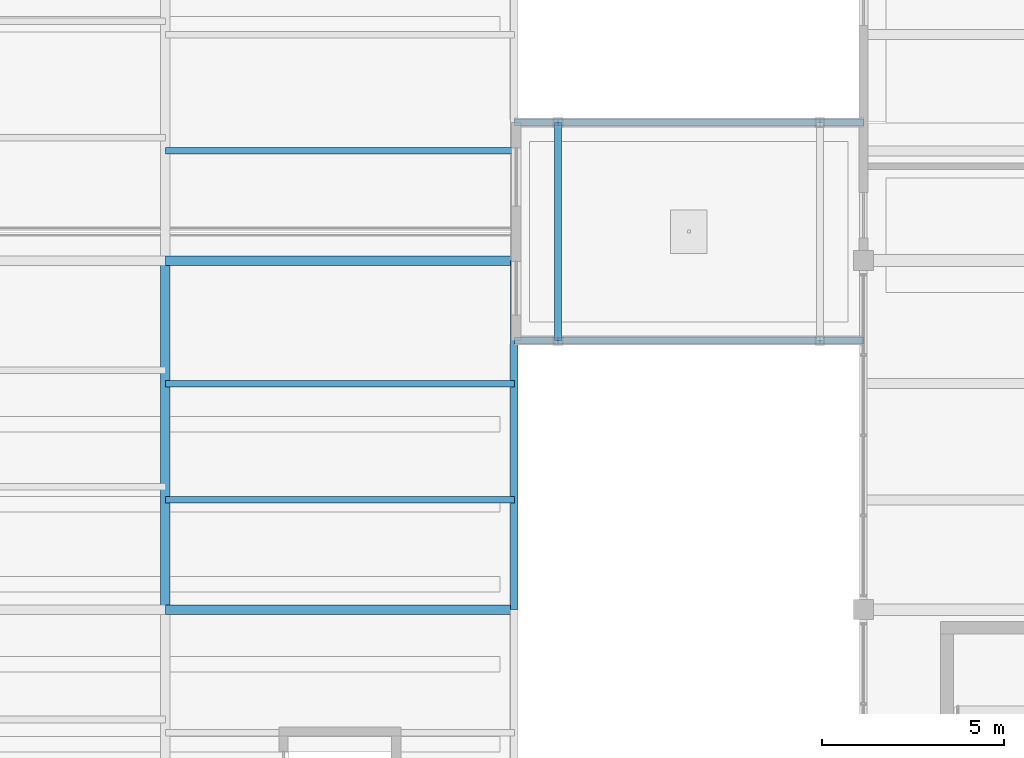
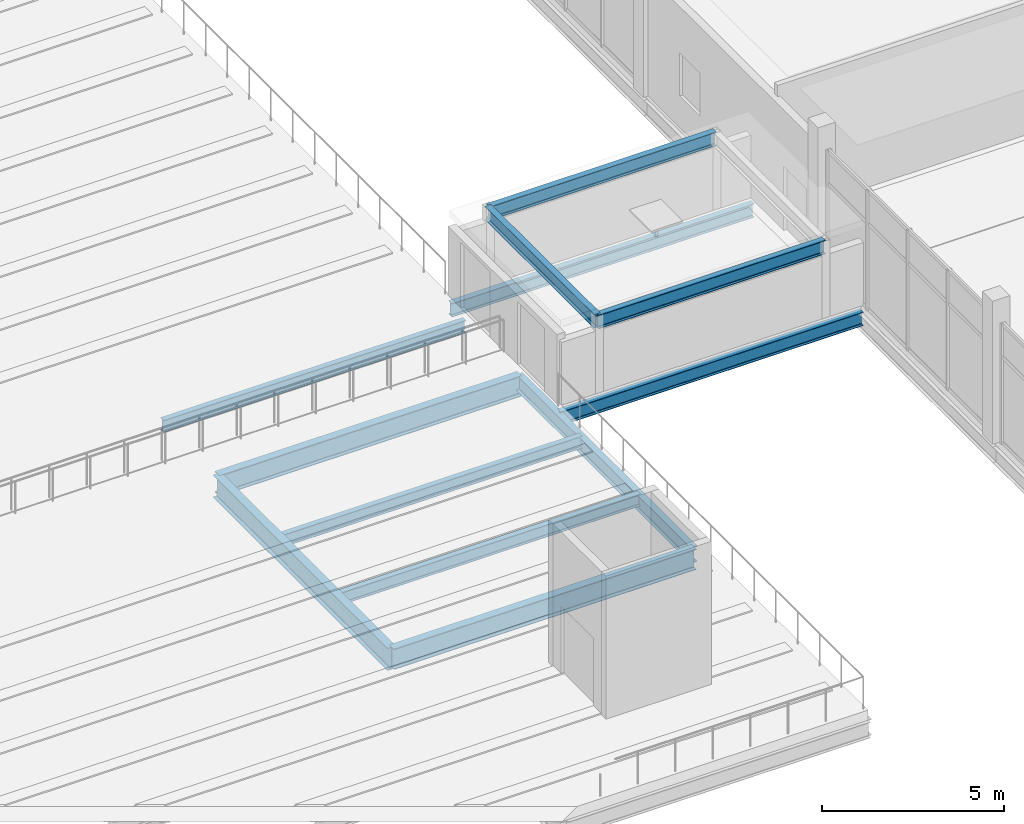
# One storey, part 70 of 157: 12 beams.
"""IFC4 building model written with IfcOpenShell, lengths in metres."""

from ifc_helpers import new_model, si_unit, direction, frame, origin, origin_2d, place, context, subcontext, project, spatial, i_section, extrude, material, material_profile, profile_set, type_object, element, save


model = new_model("IFC4")

# Units and contexts
model_context = context("Model", 3, precision=1e-05, world=origin(), true_north=direction((0.0, 1.0)))
body_context = subcontext(model_context, "Body", "Model", "MODEL_VIEW")
ifc_project = project(units=[si_unit("LENGTHUNIT", "METRE"), si_unit("AREAUNIT", "SQUARE_METRE"), si_unit("VOLUMEUNIT", "CUBIC_METRE"), si_unit("PLANEANGLEUNIT", "RADIAN"), si_unit("MASSUNIT", "GRAM", prefix="KILO")], contexts=[model_context])

# Site, building, storey
site_placement = place(None, origin())
site = spatial("IfcSite", under=ifc_project, at=site_placement, CompositionType="ELEMENT")
building_placement = place(site_placement, origin())
building = spatial("IfcBuilding", under=site, at=building_placement, Name="Chalmorin Arch Market", CompositionType="ELEMENT")
storey_placement = place(building_placement, frame((0.0, 0.0, 4.800048828125)))
storey = spatial("IfcBuildingStorey", under=building, at=storey_placement, Name="L01", CompositionType="ELEMENT", Elevation=4.800048828125)

# Beams
ifc_material = material(Name="Steel A992 Grade 50", Category="steel")
ifc_material_profile_1 = material_profile(ifc_material, i_section(OverallWidth=0.19091796875, OverallDepth=0.45703125, WebThickness=0.009033203125, FlangeThickness=0.014404296875, FilletRadius=0.02001953125, at=origin_2d()), Name="W18X50")
ifc_profile_set_1 = profile_set([ifc_material_profile_1], Name="Steel A992 Grade 50")
beam_type_1 = type_object("IfcBeamType", Name="FloorSteelBeam-W18X50", PredefinedType="BEAM", material=ifc_profile_set_1)
for number, where, z_axis, x_axis, name in (
    (1, (38.39990234375, 89.0, -0.47998046875), (1.0, 0.0, 0.0), (0.0, 1.0, 0.0), "BM-W18B-1804"),
    (2, (38.39990234375, 95.0, -0.47998046875), (1.0, 0.0, 0.0), (0.0, 1.0, 0.0), "BM-W18B-1805"),
):
    element("IfcBeam", number, at=place(storey_placement, frame(where, z_axis=z_axis, x_axis=x_axis)), inside=storey, type_object=beam_type_1, Name=name, PredefinedType="BEAM", context=body_context, shape_type="SweptSolid", body=[
        extrude(i_section(OverallWidth=0.19091796875, OverallDepth=0.45703125, WebThickness=0.009033203125, FlangeThickness=0.014404296875, FilletRadius=0.02001953125, at=origin_2d()), origin(), (0.0, 0.0, 1.0), 9.60009765625),
    ])
for number, where, z_axis, x_axis, name in (
    (3, (39.60009765625, 89.0, 2.349853515625), (1.0, 0.0, 0.0), (0.0, 1.0, 0.0), "BM-W18B-1806"),
    (4, (39.60009765625, 95.0, 2.349853515625), (1.0, 0.0, 0.0), (0.0, 1.0, 0.0), "BM-W18B-1807"),
):
    element("IfcBeam", number, at=place(storey_placement, frame(where, z_axis=z_axis, x_axis=x_axis)), inside=storey, type_object=beam_type_1, Name=name, PredefinedType="BEAM", context=body_context, shape_type="SweptSolid", body=[
        extrude(i_section(OverallWidth=0.19091796875, OverallDepth=0.45703125, WebThickness=0.009033203125, FlangeThickness=0.014404296875, FilletRadius=0.02001953125, at=origin_2d()), origin(), (0.0, 0.0, 1.0), 7.199951171875),
    ])
beam_1_placement = place(storey_placement, frame((39.60009765625, 89.0, 2.349853515625), z_axis=(0.0, 1.0, 0.0), x_axis=(-1.0, 0.0, 0.0)))
element("IfcBeam", 5, at=beam_1_placement, inside=storey, type_object=beam_type_1, Name="BM-W18B-1808", PredefinedType="BEAM", context=body_context, shape_type="SweptSolid", body=[
    extrude(i_section(OverallWidth=0.19091796875, OverallDepth=0.45703125, WebThickness=0.009033203125, FlangeThickness=0.014404296875, FilletRadius=0.02001953125, at=origin_2d()), origin(), (0.0, 0.0, 1.0), 6.0),
])
ifc_material_profile_2 = material_profile(ifc_material, i_section(OverallWidth=0.256103515625, OverallDepth=0.693115234375, WebThickness=0.014404296875, FlangeThickness=0.023681640625, FilletRadius=0.02587890625, at=origin_2d()), Name="W27X114")
ifc_profile_set_2 = profile_set([ifc_material_profile_2], Name="Steel A992 Grade 50")
beam_type_2 = type_object("IfcBeamType", Name="LongSpanGirder-W27X114", PredefinedType="BEAM", material=ifc_profile_set_2)
for number, where, z_axis, x_axis, name in (
    (6, (28.800048828125, 81.60009765625, -0.6884765625), (1.0, 0.0, 0.0), (0.0, 1.0, 0.0), "BG-W27B-0748"),
    (7, (28.800048828125, 91.199951171875, -0.6884765625), (1.0, 0.0, 0.0), (0.0, 1.0, 0.0), "BG-W27B-0750"),
):
    element("IfcBeam", number, at=place(storey_placement, frame(where, z_axis=z_axis, x_axis=x_axis)), inside=storey, type_object=beam_type_2, Name=name, PredefinedType="BEAM", context=body_context, shape_type="SweptSolid", body=[
        extrude(i_section(OverallWidth=0.256103515625, OverallDepth=0.693115234375, WebThickness=0.014404296875, FlangeThickness=0.023681640625, FilletRadius=0.02587890625, at=origin_2d()), origin(), (0.0, 0.0, 1.0), 9.599853515625),
    ])
ifc_material_profile_3 = material_profile(ifc_material, i_section(OverallWidth=0.264892578125, OverallDepth=0.7529296875, WebThickness=0.01318359375, FlangeThickness=0.01708984375, FilletRadius=0.028076171875, at=origin_2d()), Name="W30X99")
ifc_profile_set_3 = profile_set([ifc_material_profile_3], Name="Steel A992 Grade 50")
beam_type_3 = type_object("IfcBeamType", Name="LongSpanGirder-W30X99", PredefinedType="BEAM", material=ifc_profile_set_3)
beam_2_placement = place(storey_placement, frame((28.800048828125, 81.60009765625, -0.718505859375), z_axis=(0.0, 1.0, 0.0), x_axis=(-1.0, 0.0, 0.0)))
element("IfcBeam", 8, at=beam_2_placement, inside=storey, type_object=beam_type_3, Name="BG-W30B-0740", PredefinedType="BEAM", context=body_context, shape_type="SweptSolid", body=[
    extrude(i_section(OverallWidth=0.264892578125, OverallDepth=0.7529296875, WebThickness=0.01318359375, FlangeThickness=0.01708984375, FilletRadius=0.028076171875, at=origin_2d()), origin(), (0.0, 0.0, 1.0), 9.599853515625),
])
ifc_material_profile_4 = material_profile(ifc_material, i_section(OverallWidth=0.208984375, OverallDepth=0.532958984375, WebThickness=0.01025390625, FlangeThickness=0.015625, FilletRadius=0.02197265625, at=origin_2d()), Name="W21X62")
ifc_profile_set_4 = profile_set([ifc_material_profile_4], Name="Steel A992 Grade 50")
beam_type_4 = type_object("IfcBeamType", Name="PerimeterSpandrelBeam-W21X62", PredefinedType="SPANDREL", material=ifc_profile_set_4)
beam_3_placement = place(storey_placement, frame((38.39990234375, 81.60009765625, -0.608642578125), z_axis=(0.0, 1.0, 0.0), x_axis=(-1.0, 0.0, 0.0)))
element("IfcBeam", 9, at=beam_3_placement, inside=storey, type_object=beam_type_4, Name="SP-W21-0751", PredefinedType="SPANDREL", context=body_context, shape_type="SweptSolid", body=[
    extrude(i_section(OverallWidth=0.208984375, OverallDepth=0.532958984375, WebThickness=0.01025390625, FlangeThickness=0.015625, FilletRadius=0.02197265625, at=origin_2d()), origin(), (0.0, 0.0, 1.0), 9.599853515625),
])
ifc_material_profile_5 = material_profile(ifc_material, i_section(OverallWidth=0.178955078125, OverallDepth=0.409912109375, WebThickness=0.0087890625, FlangeThickness=0.014404296875, FilletRadius=0.01806640625, at=origin_2d()), Name="W16X45")
ifc_profile_set_5 = profile_set([ifc_material_profile_5], Name="Steel A992 Grade 50")
beam_type_5 = type_object("IfcBeamType", Name="SecondaryFloorJoist-W16X45", PredefinedType="JOIST", material=ifc_profile_set_5)
for number, where, z_axis, x_axis, name in (
    (10, (28.800048828125, 84.6201171875, -0.547119140625), (1.0, 0.0, 0.0), (0.0, 1.0, 0.0), "BJ-W16A-0790"),
    (11, (28.800048828125, 87.820068359375, -0.547119140625), (1.0, 0.0, 0.0), (0.0, 1.0, 0.0), "BJ-W16A-0791"),
    (12, (28.800048828125, 94.219970703125, -0.547119140625), (1.0, 0.0, 0.0), (0.0, 1.0, 0.0), "BJ-W16A-0792"),
):
    element("IfcBeam", number, at=place(storey_placement, frame(where, z_axis=z_axis, x_axis=x_axis)), inside=storey, type_object=beam_type_5, Name=name, PredefinedType="JOIST", context=body_context, shape_type="SweptSolid", body=[
        extrude(i_section(OverallWidth=0.178955078125, OverallDepth=0.409912109375, WebThickness=0.0087890625, FlangeThickness=0.014404296875, FilletRadius=0.01806640625, at=origin_2d()), origin(), (0.0, 0.0, 1.0), 9.599853515625),
    ])

save(model, "model.ifc")
